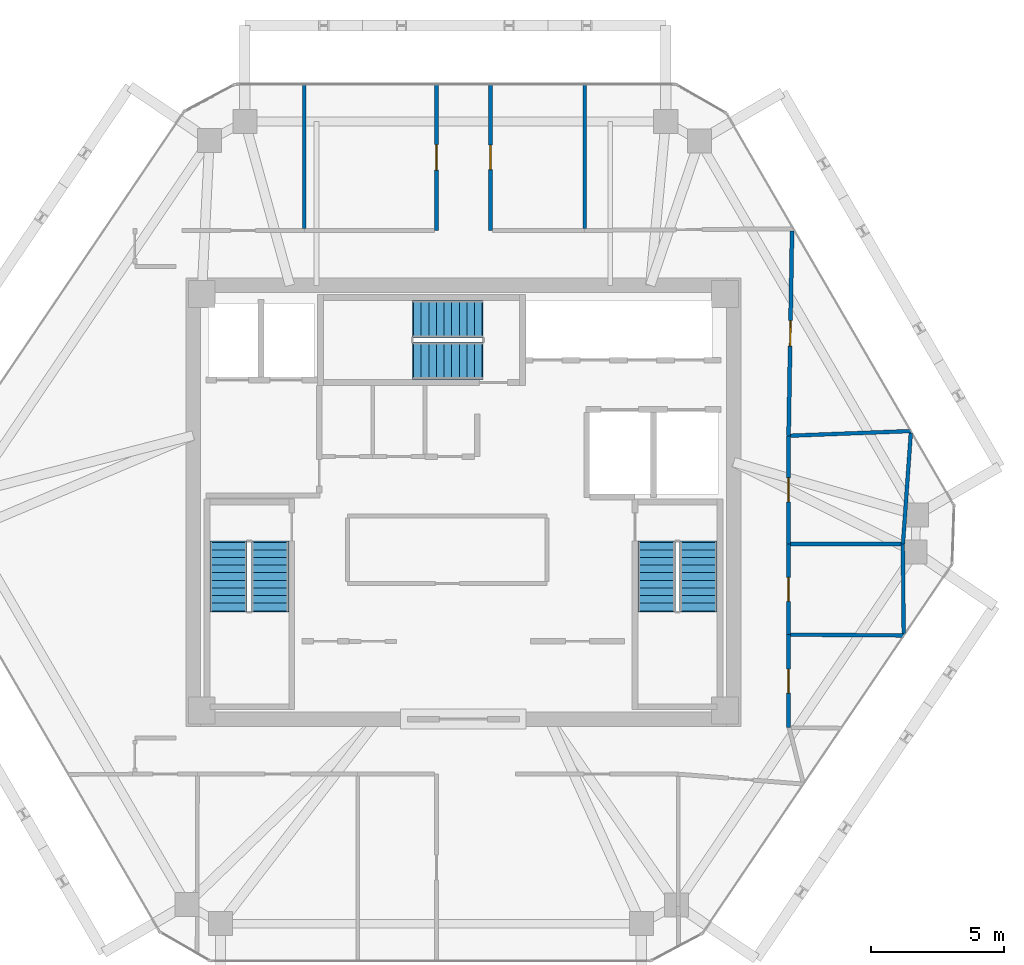
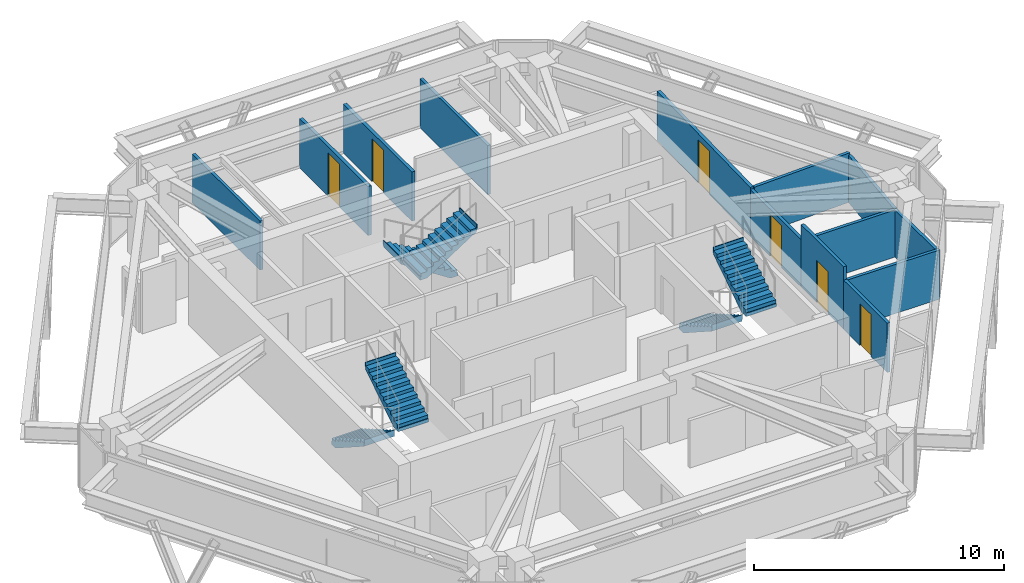
# One storey, part 10 of 11: 13 walls, 6 doors, 6 stair flights, 6 openings, 3 elements without a shape of their own.
"""IFC4 building model written with IfcOpenShell, lengths in metres."""

from ifc_helpers import new_model, si_unit, direction, frame, frame_2d, origin, place, context, subcontext, project, spatial, polyline, rectangle, outline, extrude, source, transform, mapped, material, layer, layer_set, type_object, type_shapes, element, fill, aggregate, save


model = new_model("IFC4")

# Units and contexts
model_context = context("Model", 3, precision=1e-05, world=origin(), true_north=direction((0.0, 1.0)))
body_context = subcontext(model_context, "Body", "Model", "MODEL_VIEW")
ifc_project = project(units=[si_unit("LENGTHUNIT", "METRE"), si_unit("AREAUNIT", "SQUARE_METRE"), si_unit("VOLUMEUNIT", "CUBIC_METRE"), si_unit("PLANEANGLEUNIT", "RADIAN"), si_unit("MASSUNIT", "GRAM", prefix="KILO")], contexts=[model_context])

# Site, building, storey
site_placement = place(None, origin())
site = spatial("IfcSite", under=ifc_project, at=site_placement, CompositionType="ELEMENT")
building_placement = place(site_placement, origin())
building = spatial("IfcBuilding", under=site, at=building_placement, Name="Durnholm Broadcast Tower", CompositionType="ELEMENT")
storey_placement = place(building_placement, frame((0.0, 0.0, 231.5)))
storey = spatial("IfcBuildingStorey", under=building, at=storey_placement, Name="L64", CompositionType="ELEMENT", Elevation=231.5)

# Walls
ifc_material_1 = material(Name="Gypsum Metal Stud Partition", Category="concrete")
ifc_layer_1 = layer(ifc_material_1, 0.135009765625)
ifc_layer_set_1 = layer_set([ifc_layer_1], Name="Gypsum Metal Stud Partition")
wall_type_1 = type_object("IfcWallType", Name="WALL-PART-135", PredefinedType="PARTITIONING", material=ifc_layer_set_1)
wall_1_placement = place(storey_placement, frame((-5.9599609375, 15.662109375, 0.0), z_axis=(0.0, 0.0, 1.0), x_axis=(0.0, -1.0, 0.0)))
element("IfcWall", 1, at=wall_1_placement, inside=storey, type_object=wall_type_1, Name="L64 room dividing partition 11.12", PredefinedType="PARTITIONING", context=body_context, shape_type="SweptSolid", body=[
    extrude(rectangle(XDim=5.403076171875, YDim=0.135009765625, at=frame_2d((2.70166015625, 0.0))), origin(), (0.0, 0.0, 1.0), 2.398681640625),
])
wall_2_placement = place(storey_placement, frame((4.5400390625, 15.662109375, 0.0), z_axis=(0.0, 0.0, 1.0), x_axis=(0.0, -1.0, 0.0)))
element("IfcWall", 2, at=wall_2_placement, inside=storey, type_object=wall_type_1, Name="L64 room dividing partition 13.14", PredefinedType="PARTITIONING", context=body_context, shape_type="SweptSolid", body=[
    extrude(rectangle(XDim=5.402587890625, YDim=0.135009765625, at=frame_2d((2.701171875, 0.0))), origin(), (0.0, 0.0, 1.0), 2.398681640625),
])

# Wall, opening, door
ifc_material_2 = material(Name="Acoustic Gypsum Stud Partition", Category="concrete")
ifc_layer_2 = layer(ifc_material_2, 0.14990234375)
ifc_layer_set_2 = layer_set([ifc_layer_2], Name="Acoustic Gypsum Stud Partition")
wall_type_2 = type_object("IfcWallType", Name="WALL-PART-150", PredefinedType="PARTITIONING", material=ifc_layer_set_2)
wall_3_placement = place(storey_placement, frame((-1.010009765625, 15.662109375, 0.0), z_axis=(0.0, 0.0, 1.0), x_axis=(0.0, -1.0, 0.0)))
wall_3 = element("IfcWall", 3, at=wall_3_placement, inside=storey, type_object=wall_type_2, Name="L64 VP Sports Office corridor partition", PredefinedType="PARTITIONING", context=body_context, shape_type="SweptSolid", body=[
    extrude(rectangle(XDim=5.482177734375, YDim=0.14990234375, at=frame_2d((2.7412109375, 0.0))), origin(), (0.0, 0.0, 1.0), 2.398681640625),
])
opening_1_placement = place(wall_3_placement, frame((2.26611328125, 0.0, 0.0)))
opening_1 = element("IfcOpeningElement", 4, at=opening_1_placement, cuts=wall_3, Name="Opening DR-95L", PredefinedType="OPENING", context=body_context, shape_type="SweptSolid", body=[
    extrude(rectangle(XDim=0.949951171875, YDim=2.10009765625, at=frame_2d((0.47509765625, 1.050048828125))), frame((0.0, 0.0849609375, 0.0), z_axis=(0.0, -1.0, 0.0), x_axis=(1.0, 0.0, 0.0)), (0.0, 0.0, 1.0), 0.169921875),
])
ifc_material_3 = material(Name="Acoustic Oak Veneer Timber Door", Category="wood")
ifc_layer_3 = layer(ifc_material_3, 0.050048828125)
ifc_layer_set_3 = layer_set([ifc_layer_3], Name="Acoustic Oak Veneer Timber Door")
door_type_1 = type_object("IfcDoorType", Name="DOOR-RM-950L", OperationType="NOTDEFINED", PredefinedType="DOOR", material=ifc_layer_set_3)
shared_shape_1 = source(origin(), body_context, "Body", "SweptSolid", [
    extrude(rectangle(XDim=0.949951171875, YDim=2.10009765625, at=frame_2d((0.47509765625, 1.050048828125))), frame((0.0, 0.02490234375, 0.0), z_axis=(0.0, -1.0, 0.0), x_axis=(1.0, 0.0, 0.0)), (0.0, 0.0, 1.0), 0.050048828125),
])
type_shapes(door_type_1, [shared_shape_1])
door_1_placement = place(opening_1_placement, origin())
door_1 = element("IfcDoor", 5, at=door_1_placement, inside=storey, type_object=door_type_1, Name="L64 VP Sports Office entrance door", OperationType="SINGLE_SWING_LEFT", OverallHeight=2.10009765625, OverallWidth=0.949951171875, PredefinedType="DOOR", context=body_context, shape_type="MappedRepresentation", body=[
    mapped(shared_shape_1, transform((0.0, 0.0, 0.0), x_axis=(1.0, 0.0, 0.0), y_axis=(0.0, 1.0, 0.0), z_axis=(0.0, 0.0, 1.0), scale=1.0)),
])
fill(opening_1, door_1)

wall_4_placement = place(storey_placement, frame((1.010009765625, 10.179931640625, 0.0), z_axis=(0.0, 0.0, 1.0), x_axis=(0.0, 1.0, 0.0)))
wall_4 = element("IfcWall", 6, at=wall_4_placement, inside=storey, type_object=wall_type_2, Name="L64 VP Entertainment Office corridor partition", PredefinedType="PARTITIONING", context=body_context, shape_type="SweptSolid", body=[
    extrude(rectangle(XDim=5.482177734375, YDim=0.14990234375, at=frame_2d((2.7412109375, 0.0))), origin(), (0.0, 0.0, 1.0), 2.398681640625),
])
opening_2_placement = place(wall_4_placement, frame((2.281005859375, 0.0, 0.0)))
opening_2 = element("IfcOpeningElement", 7, at=opening_2_placement, cuts=wall_4, Name="Opening DR-92R", PredefinedType="OPENING", context=body_context, shape_type="SweptSolid", body=[
    extrude(rectangle(XDim=0.919921875, YDim=2.10009765625, at=frame_2d((0.4599609375, 1.050048828125))), frame((0.0, 0.0849609375, 0.0), z_axis=(0.0, -1.0, 0.0), x_axis=(1.0, 0.0, 0.0)), (0.0, 0.0, 1.0), 0.169921875),
])
ifc_material_4 = material(Name="Oak Veneer Office Door", Category="wood")
ifc_layer_4 = layer(ifc_material_4, 0.050048828125)
ifc_layer_set_4 = layer_set([ifc_layer_4], Name="Oak Veneer Office Door")
door_type_2 = type_object("IfcDoorType", Name="DOOR-RM-920R", OperationType="NOTDEFINED", PredefinedType="DOOR", material=ifc_layer_set_4)
shared_shape_2 = source(origin(), body_context, "Body", "SweptSolid", [
    extrude(rectangle(XDim=0.919921875, YDim=2.10009765625, at=frame_2d((0.4599609375, 1.050048828125))), frame((0.0, 0.02490234375, 0.0), z_axis=(0.0, -1.0, 0.0), x_axis=(1.0, 0.0, 0.0)), (0.0, 0.0, 1.0), 0.050048828125),
])
type_shapes(door_type_2, [shared_shape_2])
door_2_placement = place(opening_2_placement, origin())
door_2 = element("IfcDoor", 8, at=door_2_placement, inside=storey, type_object=door_type_2, Name="L64 VP Entertainment Office entrance door", OperationType="SINGLE_SWING_RIGHT", OverallHeight=2.10009765625, OverallWidth=0.919921875, PredefinedType="DOOR", context=body_context, shape_type="MappedRepresentation", body=[
    mapped(shared_shape_2, transform((0.0, 0.0, 0.0), x_axis=(1.0, 0.0, 0.0), y_axis=(0.0, 1.0, 0.0), z_axis=(0.0, 0.0, 1.0), scale=1.0)),
])
fill(opening_2, door_2)

wall_5_placement = place(storey_placement, frame((12.181396484375, 2.489990234375, 0.0), z_axis=(0.0, 0.0, 1.0), x_axis=(0.016828669653, 0.999858387912, 0.0)))
wall_5 = element("IfcWall", 9, at=wall_5_placement, inside=storey, type_object=wall_type_2, Name="L64 VP Entertainment Office corridor partition", PredefinedType="PARTITIONING", context=body_context, shape_type="SweptSolid", body=[
    extrude(rectangle(XDim=7.67431640625, YDim=0.14990234375, at=frame_2d((3.837158203125, 0.0))), origin(), (0.0, 0.0, 1.0), 2.398681640625),
])
opening_3_placement = place(wall_5_placement, frame((3.3623046875, 0.0, 0.0)))
opening_3 = element("IfcOpeningElement", 10, at=opening_3_placement, cuts=wall_5, Name="Opening DR-95L", PredefinedType="OPENING", context=body_context, shape_type="SweptSolid", body=[
    extrude(rectangle(XDim=0.949951171875, YDim=2.10009765625, at=frame_2d((0.47509765625, 1.050048828125))), frame((0.0, 0.0849609375, 0.0), z_axis=(0.0, -1.0, 0.0), x_axis=(1.0, 0.0, 0.0)), (0.0, 0.0, 1.0), 0.169921875),
])
door_3_placement = place(opening_3_placement, origin())
door_3 = element("IfcDoor", 11, at=door_3_placement, inside=storey, type_object=door_type_1, Name="L64 VP Entertainment Office entrance door", OperationType="SINGLE_SWING_LEFT", OverallHeight=2.10009765625, OverallWidth=0.949951171875, PredefinedType="DOOR", context=body_context, shape_type="MappedRepresentation", body=[
    mapped(shared_shape_1, transform((0.0, 0.0, 0.0), x_axis=(1.0, 0.0, 0.0), y_axis=(0.0, 1.0, 0.0), z_axis=(0.0, 0.0, 1.0), scale=1.0)),
])
fill(opening_3, door_3)

ifc_material_5 = material(Name="Moisture-Resistant Tile Partition", Category="concrete")
ifc_layer_5 = layer(ifc_material_5, 0.139892578125)
ifc_layer_set_5 = layer_set([ifc_layer_5], Name="Moisture-Resistant Tile Partition")
wall_type_3 = type_object("IfcWallType", Name="WALL-WC-140", PredefinedType="PARTITIONING", material=ifc_layer_set_5)
wall_6_placement = place(storey_placement, frame((12.179931640625, -8.43994140625, 0.0), z_axis=(0.0, 0.0, 1.0), x_axis=(0.0, 1.0, 0.0)))
wall_6 = element("IfcWall", 12, at=wall_6_placement, inside=storey, type_object=wall_type_3, Name="L64 Men's Restroom corridor partition", PredefinedType="PARTITIONING", context=body_context, shape_type="SweptSolid", body=[
    extrude(rectangle(XDim=3.47998046875, YDim=0.139892578125, at=frame_2d((1.739990234375, 0.0))), origin(), (0.0, 0.0, 1.0), 2.398681640625),
])
opening_4_placement = place(wall_6_placement, frame((1.2900390625, 0.0, 0.0)))
opening_4 = element("IfcOpeningElement", 13, at=opening_4_placement, cuts=wall_6, Name="Opening DW-90L", PredefinedType="OPENING", context=body_context, shape_type="SweptSolid", body=[
    extrude(rectangle(XDim=0.89990234375, YDim=2.050048828125, at=frame_2d((0.449951171875, 1.02490234375))), frame((0.0, 0.080078125, 0.0), z_axis=(0.0, -1.0, 0.0), x_axis=(1.0, 0.0, 0.0)), (0.0, 0.0, 1.0), 0.159912109375),
])
ifc_material_6 = material(Name="Laminate Restroom Door", Category="steel")
ifc_layer_6 = layer(ifc_material_6, 0.050048828125)
ifc_layer_set_6 = layer_set([ifc_layer_6], Name="Laminate Restroom Door")
door_type_3 = type_object("IfcDoorType", Name="DOOR-WC-900L", OperationType="NOTDEFINED", PredefinedType="DOOR", material=ifc_layer_set_6)
shared_shape_3 = source(origin(), body_context, "Body", "SweptSolid", [
    extrude(rectangle(XDim=0.89990234375, YDim=2.050048828125, at=frame_2d((0.449951171875, 1.02490234375))), frame((0.0, 0.02490234375, 0.0), z_axis=(0.0, -1.0, 0.0), x_axis=(1.0, 0.0, 0.0)), (0.0, 0.0, 1.0), 0.050048828125),
])
type_shapes(door_type_3, [shared_shape_3])
door_4_placement = place(opening_4_placement, origin())
door_4 = element("IfcDoor", 14, at=door_4_placement, inside=storey, type_object=door_type_3, Name="L64 Men's Restroom entrance door", OperationType="SINGLE_SWING_LEFT", OverallHeight=2.050048828125, OverallWidth=0.89990234375, PredefinedType="DOOR", context=body_context, shape_type="MappedRepresentation", body=[
    mapped(shared_shape_3, transform((0.0, 0.0, 0.0), x_axis=(1.0, 0.0, 0.0), y_axis=(0.0, 1.0, 0.0), z_axis=(0.0, 0.0, 1.0), scale=1.0)),
])
fill(opening_4, door_4)

wall_7_placement = place(storey_placement, frame((12.179931640625, -4.9599609375, 0.0), z_axis=(0.0, 0.0, 1.0), x_axis=(0.0, 1.0, 0.0)))
wall_7 = element("IfcWall", 15, at=wall_7_placement, inside=storey, type_object=wall_type_3, Name="L64 Women's Restroom corridor partition", PredefinedType="PARTITIONING", context=body_context, shape_type="SweptSolid", body=[
    extrude(rectangle(XDim=3.39990234375, YDim=0.139892578125, at=frame_2d((1.699951171875, 0.0))), origin(), (0.0, 0.0, 1.0), 3.044921875),
])
opening_5_placement = place(wall_7_placement, frame((1.25, 0.0, 0.0)))
opening_5 = element("IfcOpeningElement", 16, at=opening_5_placement, cuts=wall_7, Name="Opening DW-90R", PredefinedType="OPENING", context=body_context, shape_type="SweptSolid", body=[
    extrude(rectangle(XDim=0.89990234375, YDim=2.050048828125, at=frame_2d((0.449951171875, 1.02490234375))), frame((0.0, 0.080078125, 0.0), z_axis=(0.0, -1.0, 0.0), x_axis=(1.0, 0.0, 0.0)), (0.0, 0.0, 1.0), 0.159912109375),
])
ifc_layer_7 = layer(ifc_material_6, 0.050048828125)
ifc_layer_set_7 = layer_set([ifc_layer_7], Name="Laminate Restroom Door")
door_type_4 = type_object("IfcDoorType", Name="DOOR-WC-900R", OperationType="NOTDEFINED", PredefinedType="DOOR", material=ifc_layer_set_7)
shared_shape_4 = source(origin(), body_context, "Body", "SweptSolid", [
    extrude(rectangle(XDim=0.89990234375, YDim=2.050048828125, at=frame_2d((0.449951171875, 1.02490234375))), frame((0.0, 0.02490234375, 0.0), z_axis=(0.0, -1.0, 0.0), x_axis=(1.0, 0.0, 0.0)), (0.0, 0.0, 1.0), 0.050048828125),
])
type_shapes(door_type_4, [shared_shape_4])
door_5_placement = place(opening_5_placement, origin())
door_5 = element("IfcDoor", 17, at=door_5_placement, inside=storey, type_object=door_type_4, Name="L64 Women's Restroom entrance door", OperationType="SINGLE_SWING_RIGHT", OverallHeight=2.050048828125, OverallWidth=0.89990234375, PredefinedType="DOOR", context=body_context, shape_type="MappedRepresentation", body=[
    mapped(shared_shape_4, transform((0.0, 0.0, 0.0), x_axis=(1.0, 0.0, 0.0), y_axis=(0.0, 1.0, 0.0), z_axis=(0.0, 0.0, 1.0), scale=1.0)),
])
fill(opening_5, door_5)

wall_8_placement = place(storey_placement, frame((12.179931640625, -1.56005859375, 0.0), z_axis=(0.0, 0.0, 1.0), x_axis=(0.0, 1.0, 0.0)))
wall_8 = element("IfcWall", 18, at=wall_8_placement, inside=storey, type_object=wall_type_3, Name="L64 Accessible Restroom corridor partition", PredefinedType="PARTITIONING", context=body_context, shape_type="SweptSolid", body=[
    extrude(rectangle(XDim=4.050048828125, YDim=0.139892578125, at=frame_2d((2.02490234375, 0.0))), origin(), (0.0, 0.0, 1.0), 2.30126953125),
])
opening_6_placement = place(wall_8_placement, frame((1.574951171875, 0.0, 0.0)))
opening_6 = element("IfcOpeningElement", 19, at=opening_6_placement, cuts=wall_8, Name="Opening DW-90L", PredefinedType="OPENING", context=body_context, shape_type="SweptSolid", body=[
    extrude(rectangle(XDim=0.89990234375, YDim=2.050048828125, at=frame_2d((0.449951171875, 1.02490234375))), frame((0.0, 0.080078125, 0.0), z_axis=(0.0, -1.0, 0.0), x_axis=(1.0, 0.0, 0.0)), (0.0, 0.0, 1.0), 0.159912109375),
])
door_6_placement = place(opening_6_placement, origin())
door_6 = element("IfcDoor", 20, at=door_6_placement, inside=storey, type_object=door_type_3, Name="L64 Accessible Restroom entrance door", OperationType="SINGLE_SWING_LEFT", OverallHeight=2.050048828125, OverallWidth=0.89990234375, PredefinedType="DOOR", context=body_context, shape_type="MappedRepresentation", body=[
    mapped(shared_shape_3, transform((0.0, 0.0, 0.0), x_axis=(1.0, 0.0, 0.0), y_axis=(0.0, 1.0, 0.0), z_axis=(0.0, 0.0, 1.0), scale=1.0)),
])
fill(opening_6, door_6)

# Walls
wall_9_placement = place(storey_placement, frame((12.25390625, -4.96044921875, 0.0), z_axis=(0.0, 0.0, 1.0), x_axis=(0.999976630429, -0.006836563198, 0.0)))
element("IfcWall", 21, at=wall_9_placement, inside=storey, type_object=wall_type_3, Name="L64 room dividing partition 8.9", PredefinedType="PARTITIONING", context=body_context, shape_type="SweptSolid", body=[
    extrude(rectangle(XDim=4.24951171875, YDim=0.139892578125, at=frame_2d((2.124755859375, 0.0))), origin(), (0.0, 0.0, 1.0), 2.398681640625),
])
wall_10_placement = place(storey_placement, frame((12.25390625, -1.56005859375, 0.0), z_axis=(0.0, 0.0, 1.0), x_axis=(1.0, 0.0, 0.0)))
element("IfcWall", 22, at=wall_10_placement, inside=storey, type_object=wall_type_3, Name="L64 room dividing partition 9.10", PredefinedType="PARTITIONING", context=body_context, shape_type="SweptSolid", body=[
    extrude(rectangle(XDim=4.2060546875, YDim=0.139892578125, at=frame_2d((2.10302734375, 0.0))), origin(), (0.0, 0.0, 1.0), 2.30126953125),
])
wall_11_placement = place(storey_placement, frame((16.4599609375, -1.56005859375, 0.0), z_axis=(0.0, 0.0, 1.0), x_axis=(0.009604446748, -0.999953876238, 0.0)))
element("IfcWall", 23, at=wall_11_placement, inside=storey, type_object=wall_type_3, Name="L64 room dividing partition 9.22", PredefinedType="PARTITIONING", context=body_context, shape_type="SweptSolid", body=[
    extrude(rectangle(XDim=3.35546875, YDim=0.139892578125, at=frame_2d((1.677734375, 0.0))), origin(), (0.0, 0.0, 1.0), 2.30126953125),
])
wall_12_placement = place(storey_placement, frame((12.260498046875, 2.4931640625, 0.0), z_axis=(0.0, 0.0, 1.0), x_axis=(0.999256206289, 0.038562082324, 0.0)))
element("IfcWall", 24, at=wall_12_placement, inside=storey, type_object=wall_type_3, Name="L64 room dividing partition 10.22", PredefinedType="PARTITIONING", context=body_context, shape_type="SweptSolid", body=[
    extrude(rectangle(XDim=4.5078125, YDim=0.139892578125, at=frame_2d((2.25390625, 0.0))), origin(), (0.0, 0.0, 1.0), 2.398681640625),
])
wall_13_placement = place(storey_placement, frame((16.759521484375, 2.5927734375, 0.0), z_axis=(0.0, 0.0, 1.0), x_axis=(-0.07055102187, -0.997508172053, 0.0)))
element("IfcWall", 25, at=wall_13_placement, inside=storey, type_object=wall_type_3, Name="L64 room dividing partition 10.22", PredefinedType="PARTITIONING", context=body_context, shape_type="SweptSolid", body=[
    extrude(rectangle(XDim=4.162841796875, YDim=0.139892578125, at=frame_2d((2.08154296875, 0.0))), origin(), (0.0, 0.0, 1.0), 2.30126953125),
])

# Stair, stair flights
ifc_material_7 = material(Name="Concrete C50/60", Category="concrete")
stair_type = type_object("IfcStairType", Name="STAIR-DL-20R1650", PredefinedType="HALF_TURN_STAIR", material=ifc_material_7)
stair_1_placement = place(storey_placement, origin())
stair_1 = element("IfcStair", 26, at=stair_1_placement, inside=storey, type_object=stair_type, Name="L64 ST-1", PredefinedType="HALF_TURN_STAIR")
stair_flight_type = type_object("IfcStairFlightType", Name="FLIGHT-DL-20R1650", PredefinedType="STRAIGHT", material=ifc_material_7)
stair_flight_1_placement = place(storey_placement, frame((-8.800048828125, -1.5, 0.0), z_axis=(0.0, 0.0, 1.0), x_axis=(0.0, -1.0, 0.0)))
stair_flight_1 = element("IfcStairFlight", 27, at=stair_flight_1_placement, type_object=stair_flight_type, Name="ST-1 flight 1", NumberOfRisers=10, NumberOfTreads=9, PredefinedType="STRAIGHT", RiserHeight=0.165, TreadLength=0.285, context=body_context, shape_type="SweptSolid", body=[
    extrude(outline(polyline([(-0.0400390625, -0.14990234375), (-0.0400390625, 0.0), (0.0, 0.0), (0.0, 0.1650390625), (0.284912109375, 0.1650390625), (0.284912109375, 0.330078125), (0.570068359375, 0.330078125), (0.570068359375, 0.4951171875), (0.85498046875, 0.4951171875), (0.85498046875, 0.659912109375), (1.139892578125, 0.659912109375), (1.139892578125, 0.824951171875), (1.425048828125, 0.824951171875), (1.425048828125, 0.989990234375), (1.7099609375, 0.989990234375), (1.7099609375, 1.155029296875), (1.9951171875, 1.155029296875), (1.9951171875, 1.320068359375), (2.280029296875, 1.320068359375), (2.280029296875, 1.485107421875), (2.56494140625, 1.485107421875), (2.56494140625, 1.64990234375), (2.60498046875, 1.64990234375), (2.60498046875, 1.5), (2.56494140625, 1.311767578125), (0.299072265625, -0.14990234375), (-0.0400390625, -0.14990234375)])), frame((0.0, 0.699951171875, 0.0), z_axis=(0.0, -1.0, 0.0), x_axis=(1.0, 0.0, 0.0)), (0.0, 0.0, 1.0), 1.39990234375),
])
stair_flight_2_placement = place(storey_placement, frame((-7.239990234375, -4.06494140625, 1.64990234375), z_axis=(0.0, 0.0, 1.0), x_axis=(0.0, 1.0, 0.0)))
stair_flight_2 = element("IfcStairFlight", 28, at=stair_flight_2_placement, type_object=stair_flight_type, Name="ST-1 flight 2", NumberOfRisers=10, NumberOfTreads=9, PredefinedType="STRAIGHT", RiserHeight=0.165, TreadLength=0.285, context=body_context, shape_type="SweptSolid", body=[
    extrude(outline(polyline([(-0.0400390625, -0.14990234375), (-0.0400390625, 0.0), (0.0, 0.0), (0.0, 0.1650390625), (0.284912109375, 0.1650390625), (0.284912109375, 0.330078125), (0.570068359375, 0.330078125), (0.570068359375, 0.4951171875), (0.85498046875, 0.4951171875), (0.85498046875, 0.659912109375), (1.139892578125, 0.659912109375), (1.139892578125, 0.824951171875), (1.425048828125, 0.824951171875), (1.425048828125, 0.989990234375), (1.7099609375, 0.989990234375), (1.7099609375, 1.155029296875), (1.9951171875, 1.155029296875), (1.9951171875, 1.320068359375), (2.280029296875, 1.320068359375), (2.280029296875, 1.485107421875), (2.56494140625, 1.485107421875), (2.56494140625, 1.64990234375), (2.60498046875, 1.64990234375), (2.60498046875, 1.5), (2.56494140625, 1.311767578125), (0.299072265625, -0.14990234375), (-0.0400390625, -0.14990234375)])), frame((0.0, 0.699951171875, 0.0), z_axis=(0.0, -1.0, 0.0), x_axis=(1.0, 0.0, 0.0)), (0.0, 0.0, 1.0), 1.39990234375),
])
aggregate(stair_1, [stair_flight_1, stair_flight_2])

stair_2_placement = place(storey_placement, origin())
stair_2 = element("IfcStair", 29, at=stair_2_placement, inside=storey, type_object=stair_type, Name="L64 ST-2", PredefinedType="HALF_TURN_STAIR")
stair_flight_3_placement = place(storey_placement, frame((7.239990234375, -1.5, 0.0), z_axis=(0.0, 0.0, 1.0), x_axis=(0.0, -1.0, 0.0)))
stair_flight_3 = element("IfcStairFlight", 30, at=stair_flight_3_placement, type_object=stair_flight_type, Name="ST-2 flight 1", NumberOfRisers=10, NumberOfTreads=9, PredefinedType="STRAIGHT", RiserHeight=0.165, TreadLength=0.285, context=body_context, shape_type="SweptSolid", body=[
    extrude(outline(polyline([(-0.0400390625, -0.14990234375), (-0.0400390625, 0.0), (0.0, 0.0), (0.0, 0.1650390625), (0.284912109375, 0.1650390625), (0.284912109375, 0.330078125), (0.570068359375, 0.330078125), (0.570068359375, 0.4951171875), (0.85498046875, 0.4951171875), (0.85498046875, 0.659912109375), (1.139892578125, 0.659912109375), (1.139892578125, 0.824951171875), (1.425048828125, 0.824951171875), (1.425048828125, 0.989990234375), (1.7099609375, 0.989990234375), (1.7099609375, 1.155029296875), (1.9951171875, 1.155029296875), (1.9951171875, 1.320068359375), (2.280029296875, 1.320068359375), (2.280029296875, 1.485107421875), (2.56494140625, 1.485107421875), (2.56494140625, 1.64990234375), (2.60498046875, 1.64990234375), (2.60498046875, 1.5), (2.56494140625, 1.311767578125), (0.299072265625, -0.14990234375), (-0.0400390625, -0.14990234375)])), frame((0.0, 0.699951171875, 0.0), z_axis=(0.0, -1.0, 0.0), x_axis=(1.0, 0.0, 0.0)), (0.0, 0.0, 1.0), 1.39990234375),
])
stair_flight_4_placement = place(storey_placement, frame((8.800048828125, -4.06494140625, 1.64990234375), z_axis=(0.0, 0.0, 1.0), x_axis=(0.0, 1.0, 0.0)))
stair_flight_4 = element("IfcStairFlight", 31, at=stair_flight_4_placement, type_object=stair_flight_type, Name="ST-2 flight 2", NumberOfRisers=10, NumberOfTreads=9, PredefinedType="STRAIGHT", RiserHeight=0.165, TreadLength=0.285, context=body_context, shape_type="SweptSolid", body=[
    extrude(outline(polyline([(-0.0400390625, -0.14990234375), (-0.0400390625, 0.0), (0.0, 0.0), (0.0, 0.1650390625), (0.284912109375, 0.1650390625), (0.284912109375, 0.330078125), (0.570068359375, 0.330078125), (0.570068359375, 0.4951171875), (0.85498046875, 0.4951171875), (0.85498046875, 0.659912109375), (1.139892578125, 0.659912109375), (1.139892578125, 0.824951171875), (1.425048828125, 0.824951171875), (1.425048828125, 0.989990234375), (1.7099609375, 0.989990234375), (1.7099609375, 1.155029296875), (1.9951171875, 1.155029296875), (1.9951171875, 1.320068359375), (2.280029296875, 1.320068359375), (2.280029296875, 1.485107421875), (2.56494140625, 1.485107421875), (2.56494140625, 1.64990234375), (2.60498046875, 1.64990234375), (2.60498046875, 1.5), (2.56494140625, 1.311767578125), (0.299072265625, -0.14990234375), (-0.0400390625, -0.14990234375)])), frame((0.0, 0.699951171875, 0.0), z_axis=(0.0, -1.0, 0.0), x_axis=(1.0, 0.0, 0.0)), (0.0, 0.0, 1.0), 1.39990234375),
])
aggregate(stair_2, [stair_flight_3, stair_flight_4])

stair_3_placement = place(storey_placement, origin())
stair_3 = element("IfcStair", 32, at=stair_3_placement, inside=storey, type_object=stair_type, Name="L64 ST-3", PredefinedType="HALF_TURN_STAIR")
stair_flight_5_placement = place(storey_placement, frame((0.699951171875, 6.860107421875, 0.0), z_axis=(0.0, 0.0, 1.0), x_axis=(-1.0, 0.0, 0.0)))
stair_flight_5 = element("IfcStairFlight", 33, at=stair_flight_5_placement, type_object=stair_flight_type, Name="ST-3 flight 1", NumberOfRisers=10, NumberOfTreads=9, PredefinedType="STRAIGHT", RiserHeight=0.165, TreadLength=0.285, context=body_context, shape_type="SweptSolid", body=[
    extrude(outline(polyline([(-0.0400390625, -0.14990234375), (-0.0400390625, 0.0), (0.0, 0.0), (0.0, 0.1650390625), (0.284912109375, 0.1650390625), (0.284912109375, 0.330078125), (0.570068359375, 0.330078125), (0.570068359375, 0.4951171875), (0.85498046875, 0.4951171875), (0.85498046875, 0.659912109375), (1.139892578125, 0.659912109375), (1.139892578125, 0.824951171875), (1.425048828125, 0.824951171875), (1.425048828125, 0.989990234375), (1.7099609375, 0.989990234375), (1.7099609375, 1.155029296875), (1.9951171875, 1.155029296875), (1.9951171875, 1.320068359375), (2.280029296875, 1.320068359375), (2.280029296875, 1.485107421875), (2.56494140625, 1.485107421875), (2.56494140625, 1.64990234375), (2.60498046875, 1.64990234375), (2.60498046875, 1.5), (2.56494140625, 1.311767578125), (0.299072265625, -0.14990234375), (-0.0400390625, -0.14990234375)])), frame((0.0, 0.699951171875, 0.0), z_axis=(0.0, -1.0, 0.0), x_axis=(1.0, 0.0, 0.0)), (0.0, 0.0, 1.0), 1.39990234375),
])
stair_flight_6_placement = place(storey_placement, frame((-1.864990234375, 5.300048828125, 1.64990234375), z_axis=(0.0, 0.0, 1.0), x_axis=(1.0, 0.0, 0.0)))
stair_flight_6 = element("IfcStairFlight", 34, at=stair_flight_6_placement, type_object=stair_flight_type, Name="ST-3 flight 2", NumberOfRisers=10, NumberOfTreads=9, PredefinedType="STRAIGHT", RiserHeight=0.165, TreadLength=0.285, context=body_context, shape_type="SweptSolid", body=[
    extrude(outline(polyline([(-0.0400390625, -0.14990234375), (-0.0400390625, 0.0), (0.0, 0.0), (0.0, 0.1650390625), (0.284912109375, 0.1650390625), (0.284912109375, 0.330078125), (0.570068359375, 0.330078125), (0.570068359375, 0.4951171875), (0.85498046875, 0.4951171875), (0.85498046875, 0.659912109375), (1.139892578125, 0.659912109375), (1.139892578125, 0.824951171875), (1.425048828125, 0.824951171875), (1.425048828125, 0.989990234375), (1.7099609375, 0.989990234375), (1.7099609375, 1.155029296875), (1.9951171875, 1.155029296875), (1.9951171875, 1.320068359375), (2.280029296875, 1.320068359375), (2.280029296875, 1.485107421875), (2.56494140625, 1.485107421875), (2.56494140625, 1.64990234375), (2.60498046875, 1.64990234375), (2.60498046875, 1.5), (2.56494140625, 1.311767578125), (0.299072265625, -0.14990234375), (-0.0400390625, -0.14990234375)])), frame((0.0, 0.699951171875, 0.0), z_axis=(0.0, -1.0, 0.0), x_axis=(1.0, 0.0, 0.0)), (0.0, 0.0, 1.0), 1.39990234375),
])
aggregate(stair_3, [stair_flight_5, stair_flight_6])

save(model, "model.ifc")
